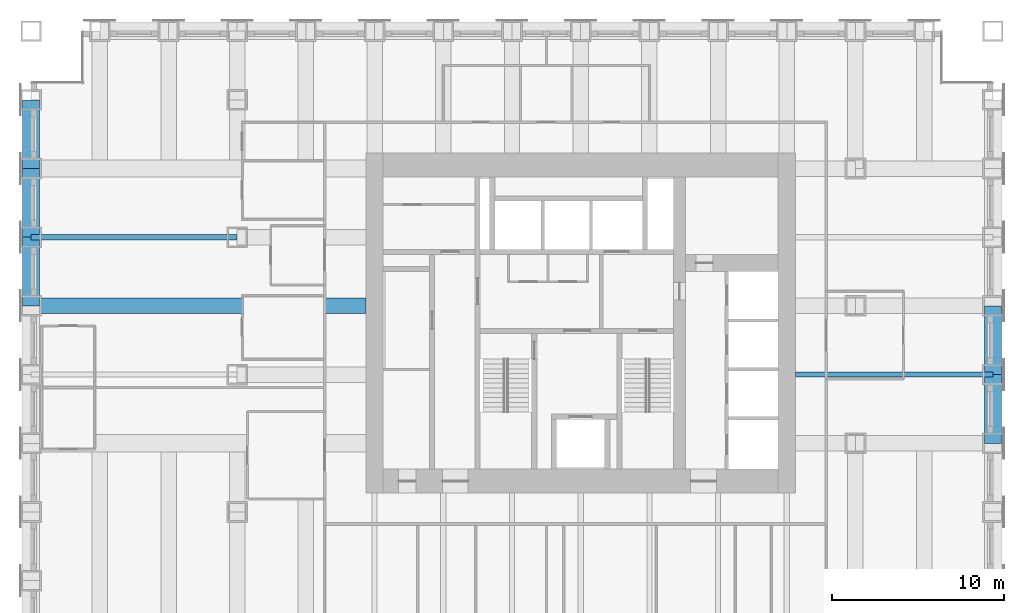
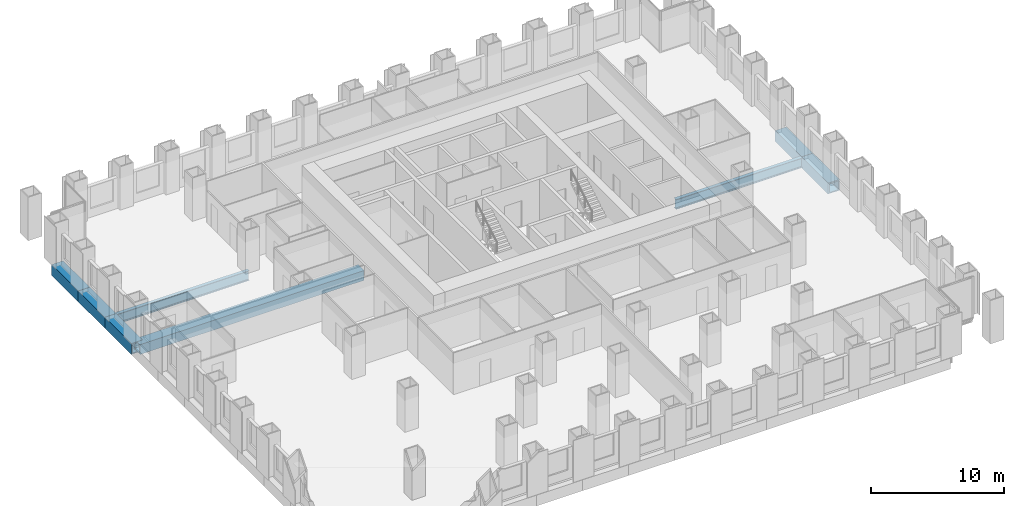
# One storey, part 5 of 15: 8 beams.
"""IFC4 building model written with IfcOpenShell, lengths in metres."""

from ifc_helpers import new_model, si_unit, direction, frame, origin, origin_2d, place, context, subcontext, project, spatial, hollow_rectangle, i_section, extrude, material, material_profile, profile_set, type_object, element, save


model = new_model("IFC4")

# Units and contexts
model_context = context("Model", 3, precision=1e-05, world=origin(), true_north=direction((0.0, 1.0)))
body_context = subcontext(model_context, "Body", "Model", "MODEL_VIEW")
ifc_project = project(units=[si_unit("LENGTHUNIT", "METRE"), si_unit("AREAUNIT", "SQUARE_METRE"), si_unit("VOLUMEUNIT", "CUBIC_METRE"), si_unit("PLANEANGLEUNIT", "RADIAN"), si_unit("MASSUNIT", "GRAM", prefix="KILO")], contexts=[model_context])

# Site, building, storey
site_placement = place(None, origin())
site = spatial("IfcSite", under=ifc_project, at=site_placement, CompositionType="ELEMENT")
building_placement = place(site_placement, origin())
building = spatial("IfcBuilding", under=site, at=building_placement, Name="Rimbunsela Tower", CompositionType="ELEMENT")
storey_placement = place(building_placement, frame((0.0, 0.0, 27.0)))
storey = spatial("IfcBuildingStorey", under=building, at=storey_placement, Name="L06", CompositionType="ELEMENT", Elevation=27.0)

# Beams
ifc_material_1 = material(Name="Steel BJ 55 (fy 410 MPa)", Category="steel")
ifc_material_profile_1 = material_profile(ifc_material_1, hollow_rectangle(XDim=1.0, YDim=1.0, WallThickness=0.10009765625, at=origin_2d()), Name="BOX 1000x1000x100")
ifc_profile_set_1 = profile_set([ifc_material_profile_1], Name="Steel BJ 55 (fy 410 MPa)")
beam_type_1 = type_object("IfcBeamType", Name="Beam BOX 1000x1000x100", PredefinedType="BEAM", material=ifc_profile_set_1)
for number, where, z_axis, x_axis, name in (
    (1, (-2.0, 28.0, -0.64990234375), (0.0, 1.0, 0.0), (-1.0, 0.0, 0.0), "Beam B3 L06"),
    (2, (-2.0, 32.0, -0.64990234375), (0.0, 1.0, 0.0), (-1.0, 0.0, 0.0), "Beam B3 L06"),
    (3, (-2.0, 36.0, -0.64990234375), (0.0, 1.0, 0.0), (-1.0, 0.0, 0.0), "Beam B3 L06"),
    (4, (54.0, 20.0, -0.64990234375), (0.0, 1.0, 0.0), (-1.0, 0.0, 0.0), "Beam B3 L06"),
    (5, (54.0, 24.0, -0.64990234375), (0.0, 1.0, 0.0), (-1.0, 0.0, 0.0), "Beam B3 L06"),
):
    element("IfcBeam", number, at=place(storey_placement, frame(where, z_axis=z_axis, x_axis=x_axis)), inside=storey, type_object=beam_type_1, Name=name, PredefinedType="BEAM", context=body_context, shape_type="SweptSolid", body=[
        extrude(hollow_rectangle(XDim=1.0, YDim=1.0, WallThickness=0.10009765625, at=origin_2d()), origin(), (0.0, 0.0, 1.0), 4.0),
    ])
ifc_material_2 = material(Name="Steel BJ 55 (fy 410 MPa)", Category="steel")
ifc_material_profile_2 = material_profile(ifc_material_2, hollow_rectangle(XDim=0.89990234375, YDim=0.89990234375, WallThickness=0.06005859375, at=origin_2d()), Name="BOX 900x900x60")
ifc_profile_set_2 = profile_set([ifc_material_profile_2], Name="Steel BJ 55 (fy 410 MPa)")
beam_type_2 = type_object("IfcBeamType", Name="Beam BOX 900x900x60", PredefinedType="BEAM", material=ifc_profile_set_2)
beam_1_placement = place(storey_placement, frame((-2.0, 28.0, -0.60009765625), z_axis=(1.0, 0.0, 0.0), x_axis=(0.0, 1.0, 0.0)))
element("IfcBeam", 6, at=beam_1_placement, inside=storey, type_object=beam_type_2, Name="Beam B1 L06", PredefinedType="BEAM", context=body_context, shape_type="SweptSolid", body=[
    extrude(hollow_rectangle(XDim=0.89990234375, YDim=0.89990234375, WallThickness=0.06005859375, at=origin_2d()), origin(), (0.0, 0.0, 1.0), 19.5),
])
ifc_material_3 = material(Name="Steel BJ 55 (fy 410 MPa)", Category="steel")
ifc_material_profile_3 = material_profile(ifc_material_3, i_section(OverallWidth=0.300048828125, OverallDepth=0.89990234375, WebThickness=0.01611328125, FlangeThickness=0.028076171875, FilletRadius=0.028076171875, at=origin_2d()), Name="H 900x300x16x28")
ifc_profile_set_3 = profile_set([ifc_material_profile_3], Name="Steel BJ 55 (fy 410 MPa)")
beam_type_3 = type_object("IfcBeamType", Name="Beam H 900x300x16x28", PredefinedType="BEAM", material=ifc_profile_set_3)
beam_2_placement = place(storey_placement, frame((-2.0, 32.0, -0.60009765625), z_axis=(1.0, 0.0, 0.0), x_axis=(0.0, 1.0, 0.0)))
element("IfcBeam", 7, at=beam_2_placement, inside=storey, type_object=beam_type_3, Name="Beam B2 L06", PredefinedType="BEAM", context=body_context, shape_type="SweptSolid", body=[
    extrude(i_section(OverallWidth=0.300048828125, OverallDepth=0.89990234375, WebThickness=0.01611328125, FlangeThickness=0.028076171875, FilletRadius=0.028076171875, at=origin_2d()), origin(), (0.0, 0.0, 1.0), 12.0),
])
beam_3_placement = place(storey_placement, frame((42.5, 24.0, -0.60009765625), z_axis=(1.0, 0.0, 0.0), x_axis=(0.0, 1.0, 0.0)))
element("IfcBeam", 8, at=beam_3_placement, inside=storey, type_object=beam_type_3, Name="Beam B2 L06", PredefinedType="BEAM", context=body_context, shape_type="SweptSolid", body=[
    extrude(i_section(OverallWidth=0.300048828125, OverallDepth=0.89990234375, WebThickness=0.01611328125, FlangeThickness=0.028076171875, FilletRadius=0.028076171875, at=origin_2d()), origin(), (0.0, 0.0, 1.0), 11.5),
])

save(model, "model.ifc")
